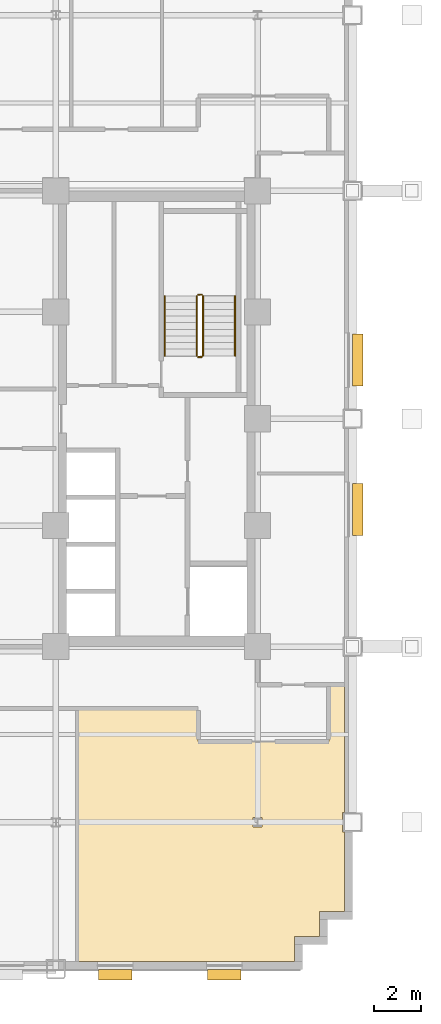
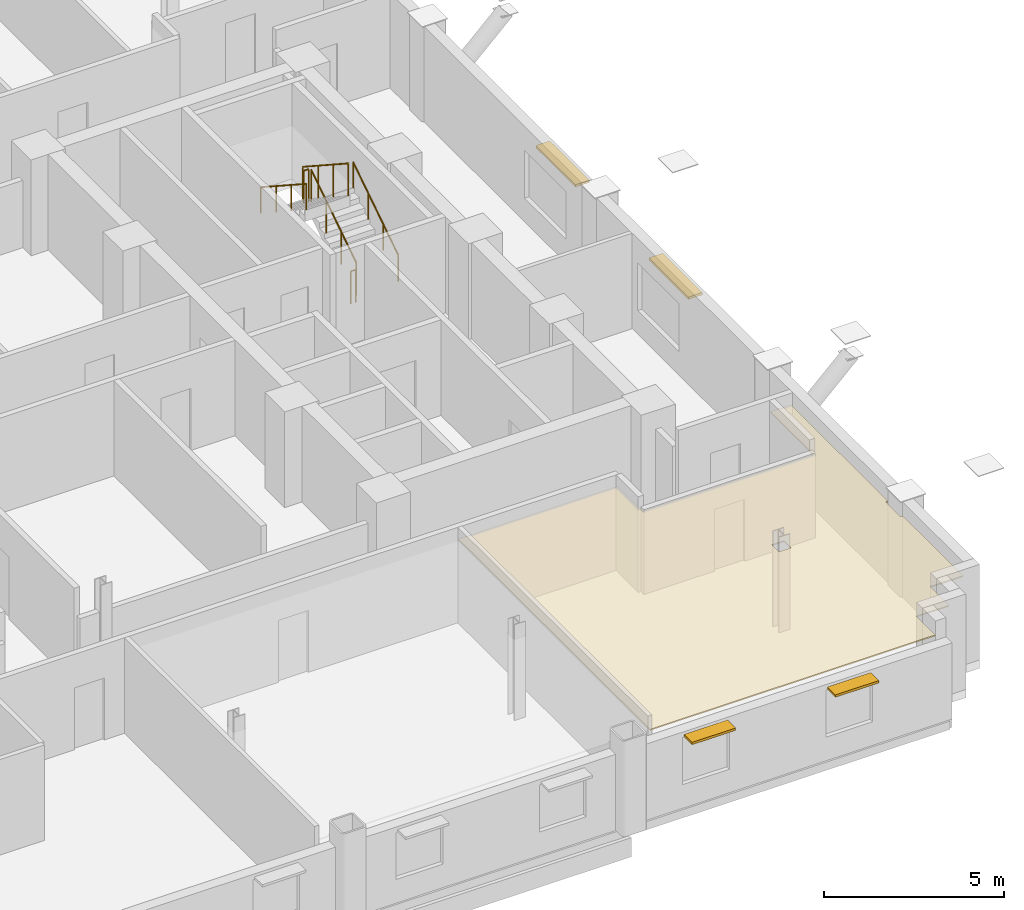
# One storey, part 12 of 13: 6 railings, 4 shading devices, 1 covering.
"""IFC4 building model written with IfcOpenShell, lengths in metres."""

from ifc_helpers import new_model, si_unit, direction, frame, origin, origin_2d, place, context, subcontext, project, spatial, polyline, rectangle, circle, outline, extrude, source, transform, mapped, material, layer, layer_set, type_object, type_shapes, element, save


model = new_model("IFC4")

# Units and contexts
model_context = context("Model", 3, precision=1e-05, world=origin(), true_north=direction((0.0, 1.0)))
body_context = subcontext(model_context, "Body", "Model", "MODEL_VIEW")
ifc_project = project(units=[si_unit("LENGTHUNIT", "METRE"), si_unit("AREAUNIT", "SQUARE_METRE"), si_unit("VOLUMEUNIT", "CUBIC_METRE"), si_unit("PLANEANGLEUNIT", "RADIAN"), si_unit("MASSUNIT", "GRAM", prefix="KILO")], contexts=[model_context])

# Site, building, storey
site_placement = place(None, origin())
site = spatial("IfcSite", under=ifc_project, at=site_placement, CompositionType="ELEMENT")
building_placement = place(site_placement, origin())
building = spatial("IfcBuilding", under=site, at=building_placement, Name="Nuvemarco Arch Tower", CompositionType="ELEMENT")
storey_placement = place(building_placement, frame((0.0, 0.0, 82.35009765625)))
storey = spatial("IfcBuildingStorey", under=building, at=storey_placement, Name="L21", CompositionType="ELEMENT", Elevation=82.35009765625)

# Covering
ifc_material_1 = material(Name="Mineral acoustic ceiling tile")
ifc_layer = layer(ifc_material_1, 0.0400390625, Name="COV-ACOUSTIC-CLG")
ifc_layer_set = layer_set([ifc_layer], Name="Mineral acoustic ceiling tile")
covering_type = type_object("IfcCoveringType", Name="COV-ACOUSTIC-CLG", PredefinedType="CEILING", material=ifc_layer_set)
covering_placement = place(storey_placement, frame((0.0, 0.0, 2.72998046875)))
element("IfcCovering", 1, at=covering_placement, inside=storey, type_object=covering_type, Name="L21 suspended acoustic ceiling 3", PredefinedType="CEILING", context=body_context, shape_type="SweptSolid", body=[
    extrude(outline(polyline([(19.06005859375, -22.860107421875), (9.89990234375, -22.860107421875), (9.89990234375, -12.199951171875), (15.0, -12.199951171875), (15.0, -13.60009765625), (20.5, -13.60009765625), (20.5, -11.199951171875), (21.159912109375, -11.199951171875), (21.159912109375, -16.5849609375), (21.0849609375, -16.5849609375), (21.0849609375, -17.4150390625), (21.159912109375, -17.4150390625), (21.159912109375, -20.760009765625), (20.110107421875, -20.760009765625), (20.110107421875, -21.81005859375), (19.06005859375, -21.81005859375), (19.06005859375, -22.860107421875)]), holes=[polyline([(17.695068359375, -17.195068359375), (17.695068359375, -16.804931640625), (17.304931640625, -16.804931640625), (17.304931640625, -17.195068359375), (17.695068359375, -17.195068359375)])]), origin(), (0.0, 0.0, 1.0), 0.0400390625),
])

# Railings
ifc_material_2 = material(Name="Brushed stainless steel handrail", Category="steel")
railing_type_1 = type_object("IfcRailingType", Name="RL-HANDRAIL-900", PredefinedType="HANDRAIL", material=ifc_material_2)
railing_1_placement = place(storey_placement, frame((16.550048828125, 2.64990234375, 0.182373046875)))
element("IfcRailing", 2, at=railing_1_placement, inside=storey, type_object=railing_type_1, Name="L21 ST-2 stair handrail 1", PredefinedType="HANDRAIL", context=body_context, shape_type="SweptSolid", body=[
    extrude(circle(Radius=0.02392578125, at=origin_2d()), frame((0.0, 0.0, 0.8759765625), z_axis=(0.0, 0.837749427056, 0.546054848405), x_axis=(-1.0, 0.0, 0.0)), (0.0, 0.0, 1.0), 3.008056640625),
    extrude(circle(Radius=0.02099609375, at=origin_2d()), origin(), (0.0, 0.0, 1.0), 0.851806640625),
    extrude(circle(Radius=0.02099609375, at=origin_2d()), frame((0.0, 0.840087890625, 0.547607421875)), (0.0, 0.0, 1.0), 0.851806640625),
    extrude(circle(Radius=0.02099609375, at=origin_2d()), frame((0.0, 1.679931640625, 1.094970703125)), (0.0, 0.0, 1.0), 0.851806640625),
    extrude(circle(Radius=0.02099609375, at=origin_2d()), frame((0.0, 2.52001953125, 1.642578125)), (0.0, 0.0, 1.0), 0.851806640625),
])
railing_2_placement = place(storey_placement, frame((13.590087890625, 5.169921875, 2.00732421875)))
element("IfcRailing", 3, at=railing_2_placement, inside=storey, type_object=railing_type_1, Name="L21 ST-2 stair handrail 2", PredefinedType="HANDRAIL", context=body_context, shape_type="SweptSolid", body=[
    extrude(circle(Radius=0.02392578125, at=origin_2d()), frame((0.0, 0.0, 0.8759765625), z_axis=(0.0, -0.837749427056, 0.546054848405), x_axis=(1.0, 0.0, 0.0)), (0.0, 0.0, 1.0), 3.008056640625),
    extrude(circle(Radius=0.02099609375, at=origin_2d()), origin(), (0.0, 0.0, 1.0), 0.851806640625),
    extrude(circle(Radius=0.02099609375, at=origin_2d()), frame((0.0, -0.840087890625, 0.547607421875)), (0.0, 0.0, 1.0), 0.851806640625),
    extrude(circle(Radius=0.02099609375, at=origin_2d()), frame((0.0, -1.679931640625, 1.094970703125)), (0.0, 0.0, 1.0), 0.851806640625),
    extrude(circle(Radius=0.02099609375, at=origin_2d()), frame((0.0, -2.52001953125, 1.642578125)), (0.0, 0.0, 1.0), 0.851806640625),
])
ifc_material_3 = material(Name="Painted balustrade steel S355", Category="steel")
railing_type_2 = type_object("IfcRailingType", Name="RL-STAIR-GUARD", PredefinedType="GUARDRAIL", material=ifc_material_3)
railing_3_placement = place(storey_placement, frame((15.199951171875, 2.64990234375, 0.182373046875)))
element("IfcRailing", 4, at=railing_3_placement, inside=storey, type_object=railing_type_2, Name="L21 ST-2 stair guard 1", PredefinedType="GUARDRAIL", context=body_context, shape_type="SweptSolid", body=[
    extrude(circle(Radius=0.02392578125, at=origin_2d()), frame((0.0, 0.0, 1.09619140625), z_axis=(0.0, 0.837749427056, 0.546054848405), x_axis=(-1.0, 0.0, 0.0)), (0.0, 0.0, 1.0), 3.008056640625),
    extrude(circle(Radius=0.02099609375, at=origin_2d()), origin(), (0.0, 0.0, 1.0), 1.072021484375),
    extrude(circle(Radius=0.02099609375, at=origin_2d()), frame((0.0, 0.840087890625, 0.547607421875)), (0.0, 0.0, 1.0), 1.072021484375),
    extrude(circle(Radius=0.02099609375, at=origin_2d()), frame((0.0, 1.679931640625, 1.094970703125)), (0.0, 0.0, 1.0), 1.072021484375),
    extrude(circle(Radius=0.02099609375, at=origin_2d()), frame((0.0, 2.52001953125, 1.642578125)), (0.0, 0.0, 1.0), 1.072021484375),
])
railing_4_placement = place(storey_placement, frame((15.14990234375, 5.219970703125, 1.824951171875)))
element("IfcRailing", 5, at=railing_4_placement, inside=storey, type_object=railing_type_2, Name="L21 ST-2 stair guard 2", PredefinedType="GUARDRAIL", context=body_context, shape_type="SweptSolid", body=[
    extrude(circle(Radius=0.02392578125, at=origin_2d()), frame((0.0, 0.0, 1.09619140625), z_axis=(-1.0, 0.0, 0.0), x_axis=(0.0, -1.0, 0.0)), (0.0, 0.0, 1.0), 0.159912109375),
    extrude(circle(Radius=0.02099609375, at=origin_2d()), origin(), (0.0, 0.0, 1.0), 1.072021484375),
    extrude(circle(Radius=0.02099609375, at=origin_2d()), frame((-0.159912109375, 0.0, 0.0)), (0.0, 0.0, 1.0), 1.072021484375),
])
railing_5_placement = place(storey_placement, frame((14.93994140625, 5.169921875, 2.00732421875)))
element("IfcRailing", 6, at=railing_5_placement, inside=storey, type_object=railing_type_2, Name="L21 ST-2 stair guard 3", PredefinedType="GUARDRAIL", context=body_context, shape_type="SweptSolid", body=[
    extrude(circle(Radius=0.02392578125, at=origin_2d()), frame((0.0, 0.0, 1.09619140625), z_axis=(0.0, -0.837749427056, 0.546054848405), x_axis=(1.0, 0.0, 0.0)), (0.0, 0.0, 1.0), 3.008056640625),
    extrude(circle(Radius=0.02099609375, at=origin_2d()), origin(), (0.0, 0.0, 1.0), 1.072021484375),
    extrude(circle(Radius=0.02099609375, at=origin_2d()), frame((0.0, -0.840087890625, 0.547607421875)), (0.0, 0.0, 1.0), 1.072021484375),
    extrude(circle(Radius=0.02099609375, at=origin_2d()), frame((0.0, -1.679931640625, 1.094970703125)), (0.0, 0.0, 1.0), 1.072021484375),
    extrude(circle(Radius=0.02099609375, at=origin_2d()), frame((0.0, -2.52001953125, 1.642578125)), (0.0, 0.0, 1.0), 1.072021484375),
])
railing_6_placement = place(storey_placement, frame((15.14990234375, 2.60009765625, 0.0)))
element("IfcRailing", 7, at=railing_6_placement, inside=storey, type_object=railing_type_2, Name="L21 ST-2 stair guard 4", PredefinedType="GUARDRAIL", context=body_context, shape_type="SweptSolid", body=[
    extrude(circle(Radius=0.02392578125, at=origin_2d()), frame((0.0, 0.0, 1.09619140625), z_axis=(-1.0, 0.0, 0.0), x_axis=(0.0, -1.0, 0.0)), (0.0, 0.0, 1.0), 0.159912109375),
    extrude(circle(Radius=0.02099609375, at=origin_2d()), origin(), (0.0, 0.0, 1.0), 1.072021484375),
    extrude(circle(Radius=0.02099609375, at=origin_2d()), frame((-0.159912109375, 0.0, 0.0)), (0.0, 0.0, 1.0), 1.072021484375),
])

# Shading devices
ifc_material_4 = material(Name="Anodised aluminium 6063-T6", Category="aluminium")
shading_device_type_1 = type_object("IfcShadingDeviceType", Name="SHD-BRISE-SOLEIL", PredefinedType="USERDEFINED", material=ifc_material_4)
shared_shape_1 = source(origin(), body_context, "Body", "SweptSolid", [
    extrude(rectangle(XDim=2.199951171875, YDim=0.449951171875, at=origin_2d()), origin(), (0.0, 0.0, 1.0), 0.080078125),
])
type_shapes(shading_device_type_1, [shared_shape_1])
for number, where, z_axis, x_axis, name in (
    (8, (21.715087890625, -3.820556640625, 2.4248046875), (0.0, 0.0, 1.0), (0.0, 1.0, 0.0), "L21 horizontal brise-soleil sunshade"),
    (9, (21.715087890625, 2.470458984375, 2.4248046875), (0.0, 0.0, 1.0), (0.0, 1.0, 0.0), "L21 horizontal brise-soleil sunshade"),
):
    element("IfcShadingDevice", number, at=place(storey_placement, frame(where, z_axis=z_axis, x_axis=x_axis)), inside=storey, type_object=shading_device_type_1, Name=name, ObjectType="SUNSHADE", PredefinedType="USERDEFINED", context=body_context, shape_type="MappedRepresentation", body=[
        mapped(shared_shape_1, transform((0.0, 0.0, 0.0), scale=1.0)),
    ])
shading_device_type_2 = type_object("IfcShadingDeviceType", Name="SHD-BRISE-NARROW", PredefinedType="USERDEFINED", material=ifc_material_4)
shared_shape_2 = source(origin(), body_context, "Body", "SweptSolid", [
    extrude(rectangle(XDim=1.39990234375, YDim=0.449951171875, at=origin_2d()), origin(), (0.0, 0.0, 1.0), 0.080078125),
])
type_shapes(shading_device_type_2, [shared_shape_2])
for number, where, z_axis, x_axis, name in (
    (10, (11.5, -23.4150390625, 2.40478515625), (0.0, 0.0, 1.0), (1.0, 0.0, 0.0), "L21 horizontal brise-soleil sunshade"),
    (11, (16.10009765625, -23.4150390625, 2.40478515625), (0.0, 0.0, 1.0), (1.0, 0.0, 0.0), "L21 horizontal brise-soleil sunshade"),
):
    element("IfcShadingDevice", number, at=place(storey_placement, frame(where, z_axis=z_axis, x_axis=x_axis)), inside=storey, type_object=shading_device_type_2, Name=name, ObjectType="SUNSHADE", PredefinedType="USERDEFINED", context=body_context, shape_type="MappedRepresentation", body=[
        mapped(shared_shape_2, transform((0.0, 0.0, 0.0), scale=1.0)),
    ])

save(model, "model.ifc")
